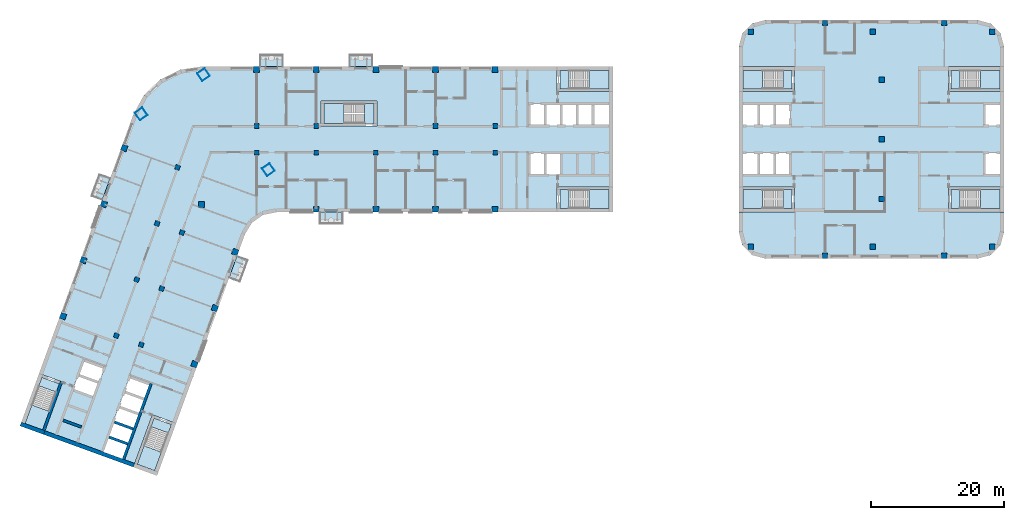
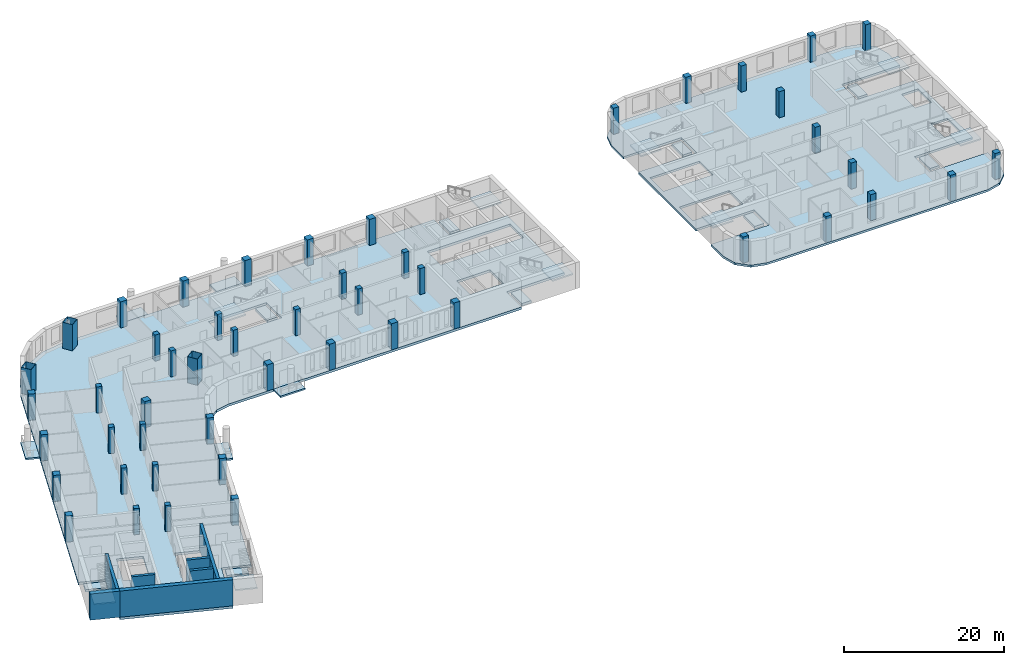
# One storey, part 1 of 16: 49 columns, 25 slabs, 7 walls, 9 elements without a shape of their own.
"""IFC4 building model written with IfcOpenShell, lengths in metres."""

from ifc_helpers import new_model, si_unit, direction, frame, frame_2d, origin, origin_2d, place, context, subcontext, project, spatial, polyline, rectangle, hollow_rectangle, outline, extrude, material, layer, layer_set, material_profile, profile_set, type_object, element, aggregate, save


model = new_model("IFC4")

# Units and contexts
model_context = context("Model", 3, precision=1e-05, world=origin(), true_north=direction((0.0, 1.0)))
body_context = subcontext(model_context, "Body", "Model", "MODEL_VIEW")
ifc_project = project(units=[si_unit("LENGTHUNIT", "METRE"), si_unit("AREAUNIT", "SQUARE_METRE"), si_unit("VOLUMEUNIT", "CUBIC_METRE"), si_unit("PLANEANGLEUNIT", "RADIAN"), si_unit("MASSUNIT", "GRAM", prefix="KILO")], contexts=[model_context])

# Site, building, storey
site_placement = place(None, origin())
site = spatial("IfcSite", under=ifc_project, at=site_placement, CompositionType="ELEMENT")
building_placement = place(site_placement, origin())
building = spatial("IfcBuilding", under=site, at=building_placement, Name="Skarvind Civic Tower", CompositionType="ELEMENT")
storey_placement = place(building_placement, frame((0.0, 0.0, 43.5)))
storey = spatial("IfcBuildingStorey", under=building, at=storey_placement, Name="L09", CompositionType="ELEMENT", Elevation=43.5)

# Columns
ifc_material_1 = material(Name="Concrete C60", Category="concrete")
ifc_material_profile_1 = material_profile(ifc_material_1, rectangle(XDim=0.699951171875, YDim=0.699951171875, at=origin_2d()), Name="RC-700x700")
ifc_profile_set_1 = profile_set([ifc_material_profile_1], Name="Concrete C60")
column_type_1 = type_object("IfcColumnType", Name="Column RC-700x700 C60", PredefinedType="COLUMN", material=ifc_profile_set_1)
for number, where, z_axis, x_axis, name in (
    (1, (54.25, 130.0, 0.0), (0.0, 0.0, 1.0), (1.0, 0.0, 0.0), "Column wing 1 north inner 02 L09"),
    (2, (63.25, 130.0, 0.0), (0.0, 0.0, 1.0), (1.0, 0.0, 0.0), "Column wing 1 north inner 03 L09"),
    (3, (81.25, 130.0, 0.0), (0.0, 0.0, 1.0), (1.0, 0.0, 0.0), "Column wing 1 north inner 05 L09"),
    (4, (90.25, 130.0, 0.0), (0.0, 0.0, 1.0), (1.0, 0.0, 0.0), "Column wing 1 north inner 06 L09"),
    (5, (54.25, 126.0, 0.0), (0.0, 0.0, 1.0), (1.0, 0.0, 0.0), "Column wing 1 south inner 02 L09"),
    (6, (63.25, 126.0, 0.0), (0.0, 0.0, 1.0), (1.0, 0.0, 0.0), "Column wing 1 south inner 03 L09"),
    (7, (72.25, 126.0, 0.0), (0.0, 0.0, 1.0), (1.0, 0.0, 0.0), "Column wing 1 south inner 04 L09"),
    (8, (81.25, 126.0, 0.0), (0.0, 0.0, 1.0), (1.0, 0.0, 0.0), "Column wing 1 south inner 05 L09"),
    (9, (90.25, 126.0, 0.0), (0.0, 0.0, 1.0), (1.0, 0.0, 0.0), "Column wing 1 south inner 06 L09"),
    (10, (43.005615234375, 113.92529296875, 0.0), (0.0, 0.0, 1.0), (-0.342020143326, -0.939692620786, 0.0), "Column wing 2 left inner 02 L09"),
    (11, (39.927490234375, 105.468017578125, 0.0), (0.0, 0.0, 1.0), (-0.342020143326, -0.939692620786, 0.0), "Column wing 2 left inner 03 L09"),
    (12, (36.84912109375, 97.010986328125, 0.0), (0.0, 0.0, 1.0), (-0.342020143326, -0.939692620786, 0.0), "Column wing 2 left inner 04 L09"),
    (13, (42.324951171875, 123.750732421875, 0.0), (0.0, 0.0, 1.0), (-0.342020143326, -0.939692620786, 0.0), "Column wing 2 right inner 01 L09"),
    (14, (39.246826171875, 115.29345703125, 0.0), (0.0, 0.0, 1.0), (-0.342020143326, -0.939692620786, 0.0), "Column wing 2 right inner 02 L09"),
    (15, (36.168701171875, 106.836181640625, 0.0), (0.0, 0.0, 1.0), (-0.342020143326, -0.939692620786, 0.0), "Column wing 2 right inner 03 L09"),
    (16, (33.090576171875, 98.37890625, 0.0), (0.0, 0.0, 1.0), (-0.342020143326, -0.939692620786, 0.0), "Column wing 2 right inner 04 L09"),
):
    element("IfcColumn", number, at=place(storey_placement, frame(where, z_axis=z_axis, x_axis=x_axis)), inside=storey, type_object=column_type_1, Name=name, PredefinedType="COLUMN", context=body_context, shape_type="SweptSolid", body=[
        extrude(rectangle(XDim=0.699951171875, YDim=0.699951171875, at=origin_2d()), origin(), (0.0, 0.0, 1.0), 4.0),
    ])
ifc_material_profile_2 = material_profile(ifc_material_1, rectangle(XDim=0.800048828125, YDim=0.800048828125, at=origin_2d()), Name="RC-800x800")
ifc_profile_set_2 = profile_set([ifc_material_profile_2], Name="Concrete C60")
column_type_2 = type_object("IfcColumnType", Name="Column RC-800x800 C60", PredefinedType="COLUMN", material=ifc_profile_set_2)
for number, where, z_axis, x_axis, name in (
    (17, (128.777099609375, 144.222900390625, 0.0), (0.0, 0.0, 1.0), (1.0, 0.0, 0.0), "Column second tower north-west corner L09"),
    (18, (128.777099609375, 111.777099609375, 0.0), (0.0, 0.0, 1.0), (1.0, 0.0, 0.0), "Column second tower south-west corner L09"),
    (19, (148.550048828125, 119.0, 0.0), (0.0, 0.0, 1.0), (1.0, 0.0, 0.0), "Column second tower middle line 01 L09"),
    (20, (148.550048828125, 128.0, 0.0), (0.0, 0.0, 1.0), (1.0, 0.0, 0.0), "Column second tower middle line 02 L09"),
    (21, (148.550048828125, 137.0, 0.0), (0.0, 0.0, 1.0), (1.0, 0.0, 0.0), "Column second tower middle line 03 L09"),
    (22, (140.0, 145.550048828125, 0.0), (0.0, 0.0, 1.0), (1.0, 0.0, 0.0), "Column second tower north perimeter 02 L09"),
    (23, (147.222900390625, 144.222900390625, 0.0), (0.0, 0.0, 1.0), (1.0, 0.0, 0.0), "Column second tower north perimeter 03 L09"),
    (24, (140.0, 110.449951171875, 0.0), (0.0, 0.0, 1.0), (1.0, 0.0, 0.0), "Column second tower south perimeter 02 L09"),
    (25, (147.222900390625, 111.777099609375, 0.0), (0.0, 0.0, 1.0), (1.0, 0.0, 0.0), "Column second tower south perimeter 03 L09"),
    (26, (165.222900390625, 144.222900390625, 0.0), (0.0, 0.0, 1.0), (1.0, 0.0, 0.0), "Column second tower north-east corner L09"),
    (27, (165.222900390625, 111.777099609375, 0.0), (0.0, 0.0, 1.0), (1.0, 0.0, 0.0), "Column second tower south-east corner L09"),
    (28, (158.0, 145.550048828125, 0.0), (0.0, 0.0, 1.0), (1.0, 0.0, 0.0), "Column second tower north perimeter 04 L09"),
    (29, (158.0, 110.449951171875, 0.0), (0.0, 0.0, 1.0), (1.0, 0.0, 0.0), "Column second tower south perimeter 04 L09"),
):
    element("IfcColumn", number, at=place(storey_placement, frame(where, z_axis=z_axis, x_axis=x_axis)), inside=storey, type_object=column_type_2, Name=name, PredefinedType="COLUMN", context=body_context, shape_type="SweptSolid", body=[
        extrude(rectangle(XDim=0.800048828125, YDim=0.800048828125, at=origin_2d()), origin(), (0.0, 0.0, 1.0), 4.0),
    ])
ifc_material_2 = material(Name="Concrete C80", Category="concrete")
ifc_material_profile_3 = material_profile(ifc_material_2, rectangle(XDim=0.89990234375, YDim=0.89990234375, at=origin_2d()), Name="RC-900x900")
ifc_profile_set_3 = profile_set([ifc_material_profile_3], Name="Concrete C80")
column_type_3 = type_object("IfcColumnType", Name="Column RC-900x900 C80", PredefinedType="COLUMN", material=ifc_profile_set_3)
for number, where, z_axis, x_axis, name in (
    (30, (54.25, 138.550048828125, 0.0), (0.0, 0.0, 1.0), (1.0, 0.0, 0.0), "Column wing 1 north perimeter 02 L09"),
    (31, (63.25, 138.550048828125, 0.0), (0.0, 0.0, 1.0), (1.0, 0.0, 0.0), "Column wing 1 north perimeter 03 L09"),
    (32, (72.25, 138.550048828125, 0.0), (0.0, 0.0, 1.0), (1.0, 0.0, 0.0), "Column wing 1 north perimeter 04 L09"),
    (33, (81.25, 138.550048828125, 0.0), (0.0, 0.0, 1.0), (1.0, 0.0, 0.0), "Column wing 1 north perimeter 05 L09"),
    (34, (90.25, 138.550048828125, 0.0), (0.0, 0.0, 1.0), (1.0, 0.0, 0.0), "Column wing 1 north perimeter 06 L09"),
    (35, (45.95166015625, 118.151611328125, 0.0), (0.0, 0.0, 1.0), (1.0, 0.0, 0.0), "Column wing 1 south perimeter 01 L09"),
    (36, (63.25, 117.449951171875, 0.0), (0.0, 0.0, 1.0), (1.0, 0.0, 0.0), "Column wing 1 south perimeter 03 L09"),
    (37, (72.25, 117.449951171875, 0.0), (0.0, 0.0, 1.0), (1.0, 0.0, 0.0), "Column wing 1 south perimeter 04 L09"),
    (38, (81.25, 117.449951171875, 0.0), (0.0, 0.0, 1.0), (1.0, 0.0, 0.0), "Column wing 1 south perimeter 05 L09"),
    (39, (90.25, 117.449951171875, 0.0), (0.0, 0.0, 1.0), (1.0, 0.0, 0.0), "Column wing 1 south perimeter 06 L09"),
    (40, (51.0400390625, 111.0009765625, 0.0), (0.0, 0.0, 1.0), (-0.342020143326, -0.939692620786, 0.0), "Column wing 2 left perimeter 02 L09"),
    (41, (47.961669921875, 102.5439453125, 0.0), (0.0, 0.0, 1.0), (-0.342020143326, -0.939692620786, 0.0), "Column wing 2 left perimeter 03 L09"),
    (42, (44.883544921875, 94.086669921875, 0.0), (0.0, 0.0, 1.0), (-0.342020143326, -0.939692620786, 0.0), "Column wing 2 left perimeter 04 L09"),
    (43, (34.29052734375, 126.6748046875, 0.0), (0.0, 0.0, 1.0), (-0.342020143326, -0.939692620786, 0.0), "Column wing 2 right perimeter 01 L09"),
    (44, (31.21240234375, 118.2177734375, 0.0), (0.0, 0.0, 1.0), (-0.342020143326, -0.939692620786, 0.0), "Column wing 2 right perimeter 02 L09"),
    (45, (28.13427734375, 109.760498046875, 0.0), (0.0, 0.0, 1.0), (-0.342020143326, -0.939692620786, 0.0), "Column wing 2 right perimeter 03 L09"),
    (46, (25.05615234375, 101.30322265625, 0.0), (0.0, 0.0, 1.0), (-0.342020143326, -0.939692620786, 0.0), "Column wing 2 right perimeter 04 L09"),
):
    element("IfcColumn", number, at=place(storey_placement, frame(where, z_axis=z_axis, x_axis=x_axis)), inside=storey, type_object=column_type_3, Name=name, PredefinedType="COLUMN", context=body_context, shape_type="SweptSolid", body=[
        extrude(rectangle(XDim=0.89990234375, YDim=0.89990234375, at=origin_2d()), origin(), (0.0, 0.0, 1.0), 4.0),
    ])
ifc_material_3 = material(Name="Composite concrete-filled steel tube, Steel SM355 with Concrete C80", Category="concrete")
ifc_material_profile_4 = material_profile(ifc_material_3, hollow_rectangle(XDim=1.39990234375, YDim=1.39990234375, WallThickness=0.0400390625, at=origin_2d()), Name="BOX-1400x1400x40")
ifc_profile_set_4 = profile_set([ifc_material_profile_4], Name="Composite concrete-filled steel tube, Steel SM355 with Concrete C80")
column_type_4 = type_object("IfcColumnType", Name="Mega column BOX-1400x1400x40 filled C80", PredefinedType="COLUMN", material=ifc_profile_set_4)
for number, where, z_axis, x_axis, name in (
    (47, (36.845947265625, 131.837646484375, 0.0), (0.0, 0.0, 1.0), (0.573576436351, -0.819152044289, 0.0), "Mega column 1 L09"),
    (48, (46.2470703125, 137.762451171875, 0.0), (0.0, 0.0, 1.0), (0.573576436351, -0.819152044289, 0.0), "Mega column 2 L09"),
    (49, (56.0361328125, 123.43017578125, 0.0), (0.0, 0.0, 1.0), (0.573576436351, -0.819152044289, 0.0), "Mega column 4 L09"),
):
    element("IfcColumn", number, at=place(storey_placement, frame(where, z_axis=z_axis, x_axis=x_axis)), inside=storey, type_object=column_type_4, Name=name, PredefinedType="COLUMN", context=body_context, shape_type="SweptSolid", body=[
        extrude(hollow_rectangle(XDim=1.39990234375, YDim=1.39990234375, WallThickness=0.0400390625, at=origin_2d()), origin(), (0.0, 0.0, 1.0), 4.0),
    ])

# Slabs
ifc_material_4 = material(Name="Concrete C50", Category="concrete")
ifc_layer_1 = layer(ifc_material_4, 0.375)
ifc_layer_set_1 = layer_set([ifc_layer_1], Name="Floor slab 375 C50")
slab_type_1 = type_object("IfcSlabType", Name="Floor slab 375 C50", PredefinedType="FLOOR", material=ifc_layer_set_1)
slab_1_placement = place(storey_placement, frame((0.0, 0.0, -0.375)))
element("IfcSlab", 50, at=slab_1_placement, inside=storey, type_object=slab_type_1, Name="Floor slab L09 1", PredefinedType="FLOOR", context=body_context, shape_type="SweptSolid", body=[
    extrude(outline(polyline([(99.60009765625, 117.0), (99.60009765625, 120.800048828125), (108.0, 120.800048828125), (108.0, 135.199951171875), (99.60009765625, 135.199951171875), (99.60009765625, 139.0), (46.095458984375, 139.0), (42.739501953125, 138.5009765625), (39.6943359375, 137.005615234375), (37.24755859375, 134.6552734375), (35.630615234375, 131.672607421875), (19.41748046875, 87.126708984375), (21.435302734375, 92.6708984375), (25.006103515625, 91.371337890625), (22.13330078125, 83.477783203125), (36.886474609375, 78.108154296875), (35.664794921875, 78.552734375), (38.53759765625, 86.4462890625), (42.108642578125, 85.146484375), (40.0908203125, 79.602294921875), (40.0908203125, 79.602294921875), (52.493896484375, 113.68017578125), (53.560791015625, 115.421630859375), (55.23388671875, 116.593017578125), (57.235107421875, 117.0), (99.60009765625, 117.0)]), holes=[polyline([(32.625244140625, 85.40576171875), (33.446044921875, 87.660888671875), (34.26708984375, 89.916259765625), (35.087890625, 92.17138671875), (38.28271484375, 91.008544921875), (37.4619140625, 88.75341796875), (36.64111328125, 86.498046875), (35.8203125, 84.242919921875), (35.8203125, 84.242919921875), (34.99951171875, 81.987548828125), (34.178466796875, 79.732421875), (30.983642578125, 80.89501953125), (31.804443359375, 83.150390625), (32.625244140625, 85.40576171875), (32.625244140625, 85.40576171875)]), polyline([(31.3291015625, 93.53955078125), (30.50830078125, 91.2841796875), (29.6875, 89.029052734375), (26.492431640625, 90.19189453125), (27.313232421875, 92.447021484375), (28.134033203125, 94.702392578125), (31.3291015625, 93.53955078125)]), polyline([(64.0, 130.0), (64.0, 133.800048828125), (72.39990234375, 133.800048828125), (72.39990234375, 130.0), (64.0, 130.0)]), polyline([(100.199951171875, 126.0), (100.199951171875, 122.60009765625), (97.800048828125, 122.60009765625), (95.39990234375, 122.60009765625), (95.39990234375, 126.0), (97.800048828125, 126.0), (100.199951171875, 126.0)]), polyline([(100.199951171875, 133.39990234375), (102.60009765625, 133.39990234375), (105.0, 133.39990234375), (107.39990234375, 133.39990234375), (107.39990234375, 130.0), (105.0, 130.0), (102.60009765625, 130.0), (100.199951171875, 130.0), (97.800048828125, 130.0), (95.39990234375, 130.0), (95.39990234375, 133.39990234375), (97.800048828125, 133.39990234375), (100.199951171875, 133.39990234375)])]), origin(), (0.0, 0.0, 1.0), 0.375),
])
ifc_material_5 = material(Name="Precast concrete C40/50", Category="concrete")
ifc_layer_2 = layer(ifc_material_5, 0.25)
ifc_layer_set_2 = layer_set([ifc_layer_2], Name="SX3 BALCONY SLAB 250")
slab_type_2 = type_object("IfcSlabType", Name="SX3 BALCONY SLAB 250", PredefinedType="FLOOR", material=ifc_layer_set_2)
slab_2_placement = place(storey_placement, frame((0.0, 0.0, -0.25)))
element("IfcSlab", 51, at=slab_2_placement, inside=storey, type_object=slab_type_2, Name="TREE BALCONY SLAB", PredefinedType="FLOOR", context=body_context, shape_type="SweptSolid", body=[
    extrude(outline(polyline([(51.308837890625, 110.42431640625), (50.07763671875, 107.04150390625), (51.76904296875, 106.42578125), (53.00048828125, 109.80859375), (51.308837890625, 110.42431640625)])), origin(), (0.0, 0.0, 1.0), 0.25),
])
slab_3_placement = place(storey_placement, frame((0.0, 0.0, -0.25)))
element("IfcSlab", 52, at=slab_3_placement, inside=storey, type_object=slab_type_2, Name="TREE BALCONY SLAB", PredefinedType="FLOOR", context=body_context, shape_type="SweptSolid", body=[
    extrude(outline(polyline([(67.300048828125, 117.0), (63.699951171875, 117.0), (63.699951171875, 115.199951171875), (67.300048828125, 115.199951171875), (67.300048828125, 117.0)])), origin(), (0.0, 0.0, 1.0), 0.25),
])
slab_4_placement = place(storey_placement, frame((0.0, 0.0, -0.25)))
element("IfcSlab", 53, at=slab_4_placement, inside=storey, type_object=slab_type_2, Name="TREE BALCONY SLAB", PredefinedType="FLOOR", context=body_context, shape_type="SweptSolid", body=[
    extrude(outline(polyline([(54.699951171875, 139.0), (58.300048828125, 139.0), (58.300048828125, 140.800048828125), (54.699951171875, 140.800048828125), (54.699951171875, 139.0)])), origin(), (0.0, 0.0, 1.0), 0.25),
])
slab_5_placement = place(storey_placement, frame((0.0, 0.0, -0.25)))
element("IfcSlab", 54, at=slab_5_placement, inside=storey, type_object=slab_type_2, Name="TREE BALCONY SLAB", PredefinedType="FLOOR", context=body_context, shape_type="SweptSolid", body=[
    extrude(outline(polyline([(68.199951171875, 139.0), (71.800048828125, 139.0), (71.800048828125, 140.800048828125), (68.199951171875, 140.800048828125), (68.199951171875, 139.0)])), origin(), (0.0, 0.0, 1.0), 0.25),
])
slab_6_placement = place(storey_placement, frame((0.0, 0.0, -0.25)))
element("IfcSlab", 55, at=slab_6_placement, inside=storey, type_object=slab_type_2, Name="TREE BALCONY SLAB", PredefinedType="FLOOR", context=body_context, shape_type="SweptSolid", body=[
    extrude(outline(polyline([(30.943603515625, 118.79443359375), (32.1748046875, 122.177490234375), (30.4833984375, 122.79296875), (29.252197265625, 119.41015625), (30.943603515625, 118.79443359375)])), origin(), (0.0, 0.0, 1.0), 0.25),
])
ifc_layer_3 = layer(ifc_material_4, 0.324951171875)
ifc_layer_set_3 = layer_set([ifc_layer_3], Name="Second tower floor slab 325 C50")
slab_type_3 = type_object("IfcSlabType", Name="Second tower floor slab 325 C50", PredefinedType="FLOOR", material=ifc_layer_set_3)
slab_7_placement = place(storey_placement, frame((0.0, 0.0, -0.324951171875)))
element("IfcSlab", 56, at=slab_7_placement, inside=storey, type_object=slab_type_3, Name="Floor slab L09 1", PredefinedType="FLOOR", context=body_context, shape_type="SweptSolid", body=[
    extrude(outline(polyline([(127.0, 139.0), (135.39990234375, 139.0), (135.39990234375, 135.199951171875), (127.0, 135.199951171875), (127.0, 120.800048828125), (135.39990234375, 120.800048828125), (135.39990234375, 117.0), (127.0, 117.0), (127.0, 114.0), (127.535888671875, 112.0), (129.0, 110.535888671875), (131.0, 110.0), (163.0, 110.0), (165.0, 110.535888671875), (166.464111328125, 112.0), (167.0, 114.0), (167.0, 117.0), (158.60009765625, 117.0), (158.60009765625, 120.800048828125), (167.0, 120.800048828125), (167.0, 135.199951171875), (158.60009765625, 135.199951171875), (158.60009765625, 139.0), (167.0, 139.0), (167.0, 142.0), (166.464111328125, 144.0), (165.0, 145.464111328125), (163.0, 146.0), (131.0, 146.0), (129.0, 145.464111328125), (127.535888671875, 144.0), (127.0, 142.0), (127.0, 139.0)]), holes=[polyline([(132.39990234375, 126.0), (134.800048828125, 126.0), (134.800048828125, 122.60009765625), (132.39990234375, 122.60009765625), (130.0, 122.60009765625), (127.60009765625, 122.60009765625), (127.60009765625, 126.0), (130.0, 126.0), (132.39990234375, 126.0)]), polyline([(130.0, 133.39990234375), (132.39990234375, 133.39990234375), (134.800048828125, 133.39990234375), (134.800048828125, 130.0), (132.39990234375, 130.0), (130.0, 130.0), (127.60009765625, 130.0), (127.60009765625, 133.39990234375), (130.0, 133.39990234375)]), polyline([(166.39990234375, 126.0), (166.39990234375, 122.60009765625), (164.0, 122.60009765625), (164.0, 126.0), (166.39990234375, 126.0)]), polyline([(166.39990234375, 133.39990234375), (166.39990234375, 130.0), (164.0, 130.0), (164.0, 133.39990234375), (166.39990234375, 133.39990234375)])]), origin(), (0.0, 0.0, 1.0), 0.324951171875),
])
ifc_material_6 = material(Name="Concrete C40/50", Category="concrete")
ifc_layer_4 = layer(ifc_material_6, 0.375)
ifc_layer_set_4 = layer_set([ifc_layer_4], Name="Stair floor landing slab 375")
slab_type_4 = type_object("IfcSlabType", Name="Stair floor landing slab 375", PredefinedType="LANDING", material=ifc_layer_set_4)
slab_8_placement = place(storey_placement, frame((0.0, 0.0, -0.375)))
element("IfcSlab", 57, at=slab_8_placement, inside=storey, type_object=slab_type_4, Name="Stair floor landing", PredefinedType="LANDING", context=body_context, shape_type="SweptSolid", body=[
    extrude(outline(polyline([(101.3505859375, 138.400634765625), (101.3505859375, 135.599365234375), (99.99951171875, 135.599365234375), (99.99951171875, 138.400634765625), (101.3505859375, 138.400634765625)])), origin(), (0.0, 0.0, 1.0), 0.375),
])
slab_9_placement = place(storey_placement, frame((0.0, 0.0, -0.375)))
element("IfcSlab", 58, at=slab_9_placement, inside=storey, type_object=slab_type_4, Name="Stair floor landing", PredefinedType="LANDING", context=body_context, shape_type="SweptSolid", body=[
    extrude(outline(polyline([(101.3505859375, 120.400634765625), (101.3505859375, 117.599365234375), (99.99951171875, 117.599365234375), (99.99951171875, 120.400634765625), (101.3505859375, 120.400634765625)])), origin(), (0.0, 0.0, 1.0), 0.375),
])
slab_10_placement = place(storey_placement, frame((0.0, 0.0, -0.375)))
element("IfcSlab", 59, at=slab_10_placement, inside=storey, type_object=slab_type_4, Name="Stair floor landing", PredefinedType="LANDING", context=body_context, shape_type="SweptSolid", body=[
    extrude(outline(polyline([(40.946533203125, 83.70654296875), (38.314208984375, 84.66455078125), (38.7763671875, 85.934326171875), (41.40869140625, 84.976318359375), (40.946533203125, 83.70654296875)])), origin(), (0.0, 0.0, 1.0), 0.375),
])
slab_11_placement = place(storey_placement, frame((0.0, 0.0, -0.375)))
element("IfcSlab", 60, at=slab_11_placement, inside=storey, type_object=slab_type_4, Name="Stair floor landing", PredefinedType="LANDING", context=body_context, shape_type="SweptSolid", body=[
    extrude(outline(polyline([(24.0322265625, 89.863037109375), (21.39990234375, 90.821044921875), (21.862060546875, 92.090576171875), (24.494384765625, 91.132568359375), (24.0322265625, 89.863037109375)])), origin(), (0.0, 0.0, 1.0), 0.375),
])
slab_12_placement = place(storey_placement, frame((0.0, 0.0, -0.375)))
element("IfcSlab", 61, at=slab_12_placement, inside=storey, type_object=slab_type_4, Name="Stair floor landing", PredefinedType="LANDING", context=body_context, shape_type="SweptSolid", body=[
    extrude(outline(polyline([(133.6494140625, 117.599365234375), (133.6494140625, 120.400634765625), (135.00048828125, 120.400634765625), (135.00048828125, 117.599365234375), (133.6494140625, 117.599365234375)])), origin(), (0.0, 0.0, 1.0), 0.375),
])
slab_13_placement = place(storey_placement, frame((0.0, 0.0, -0.375)))
element("IfcSlab", 62, at=slab_13_placement, inside=storey, type_object=slab_type_4, Name="Stair floor landing", PredefinedType="LANDING", context=body_context, shape_type="SweptSolid", body=[
    extrude(outline(polyline([(133.6494140625, 135.599365234375), (133.6494140625, 138.400634765625), (135.00048828125, 138.400634765625), (135.00048828125, 135.599365234375), (133.6494140625, 135.599365234375)])), origin(), (0.0, 0.0, 1.0), 0.375),
])
slab_14_placement = place(storey_placement, frame((0.0, 0.0, -0.375)))
element("IfcSlab", 63, at=slab_14_placement, inside=storey, type_object=slab_type_4, Name="Stair floor landing", PredefinedType="LANDING", context=body_context, shape_type="SweptSolid", body=[
    extrude(outline(polyline([(160.3505859375, 138.400634765625), (160.3505859375, 135.599365234375), (158.99951171875, 135.599365234375), (158.99951171875, 138.400634765625), (160.3505859375, 138.400634765625)])), origin(), (0.0, 0.0, 1.0), 0.375),
])
slab_15_placement = place(storey_placement, frame((0.0, 0.0, -0.375)))
element("IfcSlab", 64, at=slab_15_placement, inside=storey, type_object=slab_type_4, Name="Stair floor landing", PredefinedType="LANDING", context=body_context, shape_type="SweptSolid", body=[
    extrude(outline(polyline([(160.3505859375, 120.400634765625), (160.3505859375, 117.599365234375), (158.99951171875, 117.599365234375), (158.99951171875, 120.400634765625), (160.3505859375, 120.400634765625)])), origin(), (0.0, 0.0, 1.0), 0.375),
])
slab_16_placement = place(storey_placement, frame((0.0, 0.0, -0.375)))
element("IfcSlab", 65, at=slab_16_placement, inside=storey, type_object=slab_type_4, Name="Stair floor landing", PredefinedType="LANDING", context=body_context, shape_type="SweptSolid", body=[
    extrude(outline(polyline([(70.54931640625, 130.3994140625), (70.54931640625, 133.400634765625), (72.00048828125, 133.400634765625), (72.00048828125, 130.3994140625), (70.54931640625, 130.3994140625)])), origin(), (0.0, 0.0, 1.0), 0.375),
])

# Stair, slab
stair_type_1 = type_object("IfcStairType", Name="Exit stair, half-turn, concrete", PredefinedType="HALF_TURN_STAIR", material=ifc_material_6)
stair_1_placement = place(storey_placement, origin())
stair_1 = element("IfcStair", 66, at=stair_1_placement, inside=storey, type_object=stair_type_1, Name="Exit stair C1S", PredefinedType="HALF_TURN_STAIR")
ifc_layer_5 = layer(ifc_material_6, 0.199951171875)
ifc_layer_set_5 = layer_set([ifc_layer_5], Name="Stair half landing slab")
slab_type_5 = type_object("IfcSlabType", Name="Stair half landing slab", PredefinedType="LANDING", material=ifc_layer_set_5)
slab_17_placement = place(storey_placement, frame((0.0, 0.0, 1.800048828125)))
slab_17 = element("IfcSlab", 67, at=slab_17_placement, type_object=slab_type_5, Name="ST-C1S landing 1", PredefinedType="LANDING", context=body_context, shape_type="SweptSolid", body=[
    extrude(outline(polyline([(104.429443359375, 135.599365234375), (104.429443359375, 138.400634765625), (107.400634765625, 138.400634765625), (107.400634765625, 135.599365234375), (104.429443359375, 135.599365234375)])), origin(), (0.0, 0.0, 1.0), 0.199951171875),
])
aggregate(stair_1, [slab_17])

stair_2_placement = place(storey_placement, origin())
stair_2 = element("IfcStair", 68, at=stair_2_placement, inside=storey, type_object=stair_type_1, Name="Exit stair C1N", PredefinedType="HALF_TURN_STAIR")
slab_18_placement = place(storey_placement, frame((0.0, 0.0, 1.800048828125)))
slab_18 = element("IfcSlab", 69, at=slab_18_placement, type_object=slab_type_5, Name="ST-C1N landing 1", PredefinedType="LANDING", context=body_context, shape_type="SweptSolid", body=[
    extrude(outline(polyline([(104.429443359375, 117.599365234375), (104.429443359375, 120.400634765625), (107.400634765625, 120.400634765625), (107.400634765625, 117.599365234375), (104.429443359375, 117.599365234375)])), origin(), (0.0, 0.0, 1.0), 0.199951171875),
])
aggregate(stair_2, [slab_18])

stair_3_placement = place(storey_placement, origin())
stair_3 = element("IfcStair", 70, at=stair_3_placement, inside=storey, type_object=stair_type_1, Name="Exit stair C2S", PredefinedType="HALF_TURN_STAIR")
slab_19_placement = place(storey_placement, frame((0.0, 0.0, 1.800048828125)))
slab_19 = element("IfcSlab", 71, at=slab_19_placement, type_object=slab_type_5, Name="ST-C2S landing 1", PredefinedType="LANDING", context=body_context, shape_type="SweptSolid", body=[
    extrude(outline(polyline([(37.26123046875, 81.771484375), (39.8935546875, 80.8134765625), (38.87744140625, 78.021484375), (36.2451171875, 78.9794921875), (37.26123046875, 81.771484375)])), origin(), (0.0, 0.0, 1.0), 0.199951171875),
])
aggregate(stair_3, [slab_19])

stair_4_placement = place(storey_placement, origin())
stair_4 = element("IfcStair", 72, at=stair_4_placement, inside=storey, type_object=stair_type_1, Name="Exit stair C2N", PredefinedType="HALF_TURN_STAIR")
slab_20_placement = place(storey_placement, frame((0.0, 0.0, 1.800048828125)))
slab_20 = element("IfcSlab", 73, at=slab_20_placement, type_object=slab_type_5, Name="ST-C2N landing 1", PredefinedType="LANDING", context=body_context, shape_type="SweptSolid", body=[
    extrude(outline(polyline([(20.346923828125, 87.927734375), (22.97900390625, 86.9697265625), (21.962890625, 84.177734375), (19.33056640625, 85.1357421875), (20.346923828125, 87.927734375)])), origin(), (0.0, 0.0, 1.0), 0.199951171875),
])
aggregate(stair_4, [slab_20])

stair_5_placement = place(storey_placement, origin())
stair_5 = element("IfcStair", 74, at=stair_5_placement, inside=storey, type_object=stair_type_1, Name="Exit stair CAS", PredefinedType="HALF_TURN_STAIR")
slab_21_placement = place(storey_placement, frame((0.0, 0.0, 1.800048828125)))
slab_21 = element("IfcSlab", 75, at=slab_21_placement, type_object=slab_type_5, Name="ST-CAS landing 1", PredefinedType="LANDING", context=body_context, shape_type="SweptSolid", body=[
    extrude(outline(polyline([(130.570556640625, 120.400634765625), (130.570556640625, 117.599365234375), (127.599365234375, 117.599365234375), (127.599365234375, 120.400634765625), (130.570556640625, 120.400634765625)])), origin(), (0.0, 0.0, 1.0), 0.199951171875),
])
aggregate(stair_5, [slab_21])

stair_6_placement = place(storey_placement, origin())
stair_6 = element("IfcStair", 76, at=stair_6_placement, inside=storey, type_object=stair_type_1, Name="Exit stair CAN", PredefinedType="HALF_TURN_STAIR")
slab_22_placement = place(storey_placement, frame((0.0, 0.0, 1.800048828125)))
slab_22 = element("IfcSlab", 77, at=slab_22_placement, type_object=slab_type_5, Name="ST-CAN landing 1", PredefinedType="LANDING", context=body_context, shape_type="SweptSolid", body=[
    extrude(outline(polyline([(130.570556640625, 138.400634765625), (130.570556640625, 135.599365234375), (127.599365234375, 135.599365234375), (127.599365234375, 138.400634765625), (130.570556640625, 138.400634765625)])), origin(), (0.0, 0.0, 1.0), 0.199951171875),
])
aggregate(stair_6, [slab_22])

stair_7_placement = place(storey_placement, origin())
stair_7 = element("IfcStair", 78, at=stair_7_placement, inside=storey, type_object=stair_type_1, Name="Exit stair CBS", PredefinedType="HALF_TURN_STAIR")
slab_23_placement = place(storey_placement, frame((0.0, 0.0, 1.800048828125)))
slab_23 = element("IfcSlab", 79, at=slab_23_placement, type_object=slab_type_5, Name="ST-CBS landing 1", PredefinedType="LANDING", context=body_context, shape_type="SweptSolid", body=[
    extrude(outline(polyline([(163.429443359375, 135.599365234375), (163.429443359375, 138.400634765625), (166.400634765625, 138.400634765625), (166.400634765625, 135.599365234375), (163.429443359375, 135.599365234375)])), origin(), (0.0, 0.0, 1.0), 0.199951171875),
])
aggregate(stair_7, [slab_23])

stair_8_placement = place(storey_placement, origin())
stair_8 = element("IfcStair", 80, at=stair_8_placement, inside=storey, type_object=stair_type_1, Name="Exit stair CBN", PredefinedType="HALF_TURN_STAIR")
slab_24_placement = place(storey_placement, frame((0.0, 0.0, 1.800048828125)))
slab_24 = element("IfcSlab", 81, at=slab_24_placement, type_object=slab_type_5, Name="ST-CBN landing 1", PredefinedType="LANDING", context=body_context, shape_type="SweptSolid", body=[
    extrude(outline(polyline([(163.429443359375, 117.599365234375), (163.429443359375, 120.400634765625), (166.400634765625, 120.400634765625), (166.400634765625, 117.599365234375), (163.429443359375, 117.599365234375)])), origin(), (0.0, 0.0, 1.0), 0.199951171875),
])
aggregate(stair_8, [slab_24])

stair_type_2 = type_object("IfcStairType", Name="Exit stair 1450, half-turn, concrete", PredefinedType="HALF_TURN_STAIR", material=ifc_material_6)
stair_9_placement = place(storey_placement, origin())
stair_9 = element("IfcStair", 82, at=stair_9_placement, inside=storey, type_object=stair_type_2, Name="Exit stair CM", PredefinedType="HALF_TURN_STAIR")
slab_25_placement = place(storey_placement, frame((0.0, 0.0, 1.800048828125)))
slab_25 = element("IfcSlab", 83, at=slab_25_placement, type_object=slab_type_5, Name="ST-CM landing 1", PredefinedType="LANDING", context=body_context, shape_type="SweptSolid", body=[
    extrude(outline(polyline([(67.470703125, 133.400634765625), (67.470703125, 130.3994140625), (64.3994140625, 130.3994140625), (64.3994140625, 133.400634765625), (67.470703125, 133.400634765625)])), origin(), (0.0, 0.0, 1.0), 0.199951171875),
])
aggregate(stair_9, [slab_25])

# Walls
ifc_layer_6 = layer(ifc_material_2, 0.39990234375)
ifc_layer_set_6 = layer_set([ifc_layer_6], Name="Core wall 400 C80")
wall_type_1 = type_object("IfcWallType", Name="Core wall 400 C80", PredefinedType="SHEAR", material=ifc_layer_set_6)
wall_1_placement = place(storey_placement, frame((22.150390625, 84.110107421875, 0.0), z_axis=(0.0, 0.0, 1.0), x_axis=(0.342016982193, 0.939693771338, 0.0)))
element("IfcWall", 84, at=wall_1_placement, inside=storey, type_object=wall_type_1, Name="Core wall C2 north stair inner L09", PredefinedType="SHEAR", context=body_context, shape_type="SweptSolid", body=[
    extrude(rectangle(XDim=7.800048828125, YDim=0.39990234375, at=frame_2d((3.89990234375, 0.0))), origin(), (0.0, 0.0, 1.0), 4.0),
])
wall_2_placement = place(storey_placement, frame((34.178466796875, 79.732177734375, 0.0), z_axis=(0.0, 0.0, 1.0), x_axis=(0.342014590177, 0.939694641948, 0.0)))
element("IfcWall", 85, at=wall_2_placement, inside=storey, type_object=wall_type_1, Name="Core wall C2 south lift row back L09", PredefinedType="SHEAR", context=body_context, shape_type="SweptSolid", body=[
    extrude(rectangle(XDim=12.2001953125, YDim=0.39990234375, at=frame_2d((6.10009765625, 0.0))), origin(), (0.0, 0.0, 1.0), 4.0),
])
for number, where, z_axis, x_axis, name in (
    (86, (34.8115234375, 82.055908203125, 0.0), (0.0, 0.0, 1.0), (-0.939686455819, 0.342037080957, 0.0), "Core wall C2 south lift row division 1 L09"),
    (87, (35.63232421875, 84.311279296875, 0.0), (0.0, 0.0, 1.0), (-0.939712609717, 0.341965219194, 0.0), "Core wall C2 south lift row division 2 L09"),
    (88, (27.857666015625, 84.5869140625, 0.0), (0.0, 0.0, 1.0), (-0.939686455819, 0.342037080957, 0.0), "Core wall C2 north lift row division 1 L09"),
):
    element("IfcWall", number, at=place(storey_placement, frame(where, z_axis=z_axis, x_axis=x_axis)), inside=storey, type_object=wall_type_1, Name=name, PredefinedType="SHEAR", context=body_context, shape_type="SweptSolid", body=[
        extrude(rectangle(XDim=3.0, YDim=0.39990234375, at=frame_2d((1.5, 0.0))), origin(), (0.0, 0.0, 1.0), 4.0),
    ])
ifc_layer_7 = layer(ifc_material_2, 0.60009765625)
ifc_layer_set_7 = layer_set([ifc_layer_7], Name="Core wall 600 C80")
wall_type_2 = type_object("IfcWallType", Name="Core wall 600 C80", PredefinedType="SHEAR", material=ifc_layer_set_7)
wall_3_placement = place(storey_placement, frame((35.767333984375, 78.834716796875, 0.0), z_axis=(0.0, 0.0, 1.0), x_axis=(-0.939692894512, 0.342019391267, 0.0)))
element("IfcWall", 89, at=wall_3_placement, inside=storey, type_object=wall_type_2, Name="Core wall C2 tip between the stairs L09", PredefinedType="SHEAR", context=body_context, shape_type="SweptSolid", body=[
    extrude(rectangle(XDim=14.39990234375, YDim=0.60009765625, at=frame_2d((7.199951171875, 0.0))), origin(), (0.0, 0.0, 1.0), 4.0),
])
wall_4_placement = place(storey_placement, frame((22.23583984375, 83.759765625, 0.0), z_axis=(0.0, 0.0, 1.0), x_axis=(-0.939680822529, 0.342052557032, 0.0)))
element("IfcWall", 90, at=wall_4_placement, inside=storey, type_object=wall_type_2, Name="Core wall C2 tip at the north stair L09", PredefinedType="SHEAR", context=body_context, shape_type="SweptSolid", body=[
    extrude(rectangle(XDim=3.800048828125, YDim=0.60009765625, at=frame_2d((1.89990234375, 0.0))), origin(), (0.0, 0.0, 1.0), 4.0),
])

save(model, "model.ifc")
